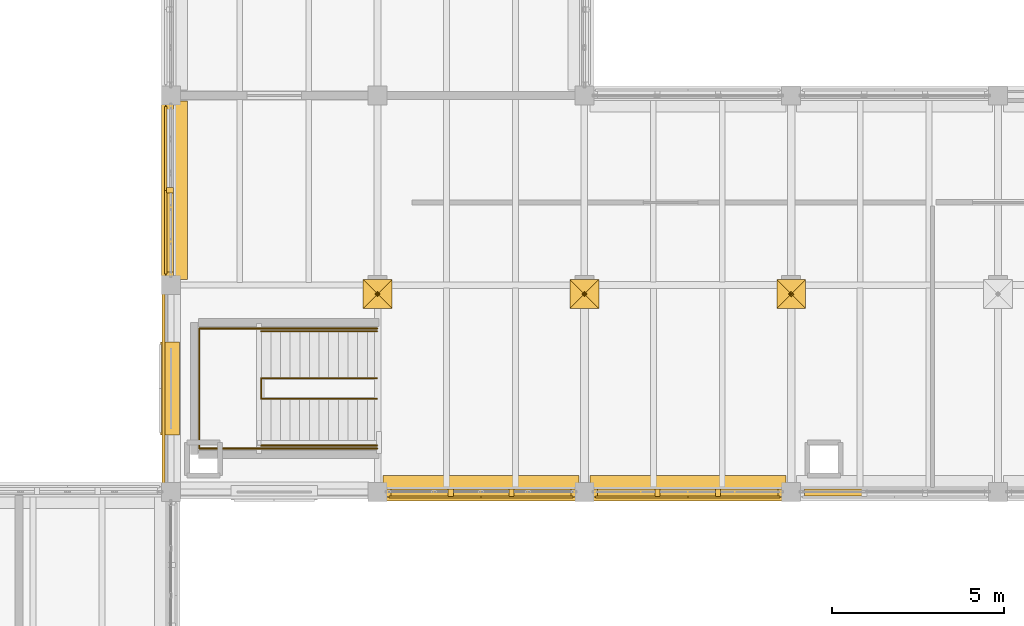
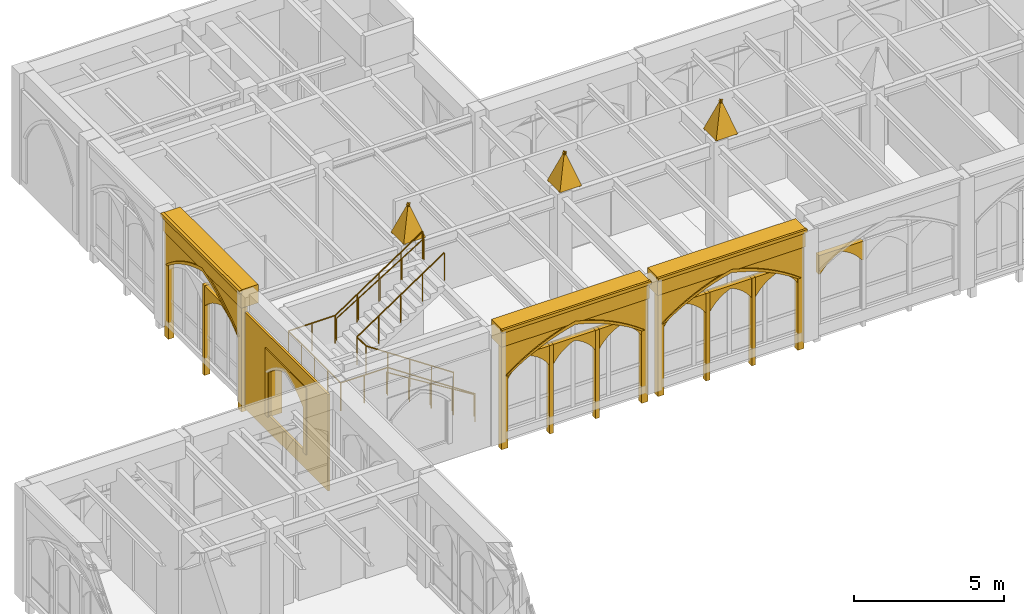
# One storey, part 90 of 108: 39 coverings, 6 railings.
"""IFC4 building model written with IfcOpenShell, lengths in metres."""

from ifc_helpers import new_model, si_unit, direction, frame, origin, origin_2d, place, context, subcontext, project, spatial, polyline, rectangle, circle, outline, extrude, material, type_object, element, save


model = new_model("IFC4")

# Units and contexts
model_context = context("Model", 3, precision=1e-05, world=origin(), true_north=direction((0.0, 1.0)))
body_context = subcontext(model_context, "Body", "Model", "MODEL_VIEW")
ifc_project = project(units=[si_unit("LENGTHUNIT", "METRE"), si_unit("AREAUNIT", "SQUARE_METRE"), si_unit("VOLUMEUNIT", "CUBIC_METRE"), si_unit("PLANEANGLEUNIT", "RADIAN"), si_unit("MASSUNIT", "GRAM", prefix="KILO")], contexts=[model_context])

# Site, building, storey
site_placement = place(None, origin())
site = spatial("IfcSite", under=ifc_project, at=site_placement, CompositionType="ELEMENT")
building_placement = place(site_placement, origin())
building = spatial("IfcBuilding", under=site, at=building_placement, Name="Cumevento Cable Car Station", CompositionType="ELEMENT")
storey_placement = place(building_placement, frame((0.0, 0.0, 13.5)))
storey = spatial("IfcBuildingStorey", under=building, at=storey_placement, Name="L04", CompositionType="ELEMENT", Elevation=13.5)

# Railings
ifc_material_1 = material(Name="Painted Galvanised Architectural Steel", Category="steel")
railing_type_1 = type_object("IfcRailingType", Name="Stair Guardrail GR-S115", PredefinedType="GUARDRAIL", material=ifc_material_1)
railing_1_placement = place(storey_placement, frame((27.97998046875, 47.699951171875, 0.0)))
element("IfcRailing", 1, at=railing_1_placement, inside=storey, type_object=railing_type_1, Name="Stair Well Inner Guardrail ST-12", PredefinedType="GUARDRAIL", context=body_context, shape_type="SweptSolid", body=[
    extrude(circle(Radius=0.02392578125, at=origin_2d()), frame((0.0, 0.0, 1.1259765625), z_axis=(-0.830896709279, 0.0, 0.556426687452), x_axis=(0.0, -1.0, 0.0)), (0.0, 0.0, 1.0), 4.043701171875),
    extrude(circle(Radius=0.02392578125, at=origin_2d()), frame((-3.35986328125, 0.0, 3.3759765625), z_axis=(0.0, 1.0, 0.0), x_axis=(-1.0, 0.0, 0.0)), (0.0, 0.0, 1.0), 0.60009765625),
    extrude(circle(Radius=0.02392578125, at=origin_2d()), frame((-3.35986328125, 0.60009765625, 3.3759765625), z_axis=(0.830896709279, 0.0, 0.556426687452), x_axis=(0.0, 1.0, 0.0)), (0.0, 0.0, 1.0), 4.043701171875),
    extrude(circle(Radius=0.02001953125, at=origin_2d()), origin(), (0.0, 0.0, 1.0), 1.101806640625),
    extrude(circle(Radius=0.02001953125, at=origin_2d()), frame((-0.83984375, 0.0, 0.5625)), (0.0, 0.0, 1.0), 1.101806640625),
    extrude(circle(Radius=0.02001953125, at=origin_2d()), frame((-1.679931640625, 0.0, 1.125)), (0.0, 0.0, 1.0), 1.101806640625),
    extrude(circle(Radius=0.02001953125, at=origin_2d()), frame((-2.52001953125, 0.0, 1.6875)), (0.0, 0.0, 1.0), 1.101806640625),
    extrude(circle(Radius=0.02001953125, at=origin_2d()), frame((-3.35986328125, 0.0, 2.25)), (0.0, 0.0, 1.0), 1.101806640625),
    extrude(circle(Radius=0.02001953125, at=origin_2d()), frame((-3.35986328125, 0.60009765625, 2.25)), (0.0, 0.0, 1.0), 1.101806640625),
    extrude(circle(Radius=0.02001953125, at=origin_2d()), frame((-2.52001953125, 0.60009765625, 2.8125)), (0.0, 0.0, 1.0), 1.101806640625),
    extrude(circle(Radius=0.02001953125, at=origin_2d()), frame((-1.679931640625, 0.60009765625, 3.375)), (0.0, 0.0, 1.0), 1.101806640625),
    extrude(circle(Radius=0.02001953125, at=origin_2d()), frame((-0.83984375, 0.60009765625, 3.9375)), (0.0, 0.0, 1.0), 1.101806640625),
    extrude(circle(Radius=0.02001953125, at=origin_2d()), frame((0.0, 0.60009765625, 4.5)), (0.0, 0.0, 1.0), 1.101806640625),
])
railing_2_placement = place(storey_placement, frame((24.6201171875, 46.260009765625, 2.25)))
element("IfcRailing", 2, at=railing_2_placement, inside=storey, type_object=railing_type_1, Name="Stair Half-Landing Guardrail ST-12", PredefinedType="GUARDRAIL", context=body_context, shape_type="SweptSolid", body=[
    extrude(circle(Radius=0.02392578125, at=origin_2d()), frame((0.0, 0.0, 1.1259765625), z_axis=(-1.0, 0.0, 0.0), x_axis=(0.0, -1.0, 0.0)), (0.0, 0.0, 1.0), 1.800048828125),
    extrude(circle(Radius=0.02392578125, at=origin_2d()), frame((-1.800048828125, 0.0, 1.1259765625), z_axis=(0.0, 1.0, 0.0), x_axis=(-1.0, 0.0, 0.0)), (0.0, 0.0, 1.0), 3.47998046875),
    extrude(circle(Radius=0.02392578125, at=origin_2d()), frame((-1.800048828125, 3.47998046875, 1.1259765625), z_axis=(1.0, 0.0, 0.0), x_axis=(0.0, 1.0, 0.0)), (0.0, 0.0, 1.0), 1.800048828125),
    extrude(circle(Radius=0.02001953125, at=origin_2d()), origin(), (0.0, 0.0, 1.0), 1.101806640625),
    extrude(circle(Radius=0.02001953125, at=origin_2d()), frame((-0.89990234375, 0.0, 0.0)), (0.0, 0.0, 1.0), 1.101806640625),
    extrude(circle(Radius=0.02001953125, at=origin_2d()), frame((-1.800048828125, 0.0, 0.0)), (0.0, 0.0, 1.0), 1.101806640625),
    extrude(circle(Radius=0.02001953125, at=origin_2d()), frame((-1.800048828125, 0.8701171875, 0.0)), (0.0, 0.0, 1.0), 1.101806640625),
    extrude(circle(Radius=0.02001953125, at=origin_2d()), frame((-1.800048828125, 1.739990234375, 0.0)), (0.0, 0.0, 1.0), 1.101806640625),
    extrude(circle(Radius=0.02001953125, at=origin_2d()), frame((-1.800048828125, 2.60986328125, 0.0)), (0.0, 0.0, 1.0), 1.101806640625),
    extrude(circle(Radius=0.02001953125, at=origin_2d()), frame((-1.800048828125, 3.47998046875, 0.0)), (0.0, 0.0, 1.0), 1.101806640625),
    extrude(circle(Radius=0.02001953125, at=origin_2d()), frame((-0.89990234375, 3.47998046875, 0.0)), (0.0, 0.0, 1.0), 1.101806640625),
    extrude(circle(Radius=0.02001953125, at=origin_2d()), frame((0.0, 3.47998046875, 0.0)), (0.0, 0.0, 1.0), 1.101806640625),
])
railing_3_placement = place(storey_placement, frame((27.97998046875, 46.260009765625, 0.0)))
element("IfcRailing", 3, at=railing_3_placement, inside=storey, type_object=railing_type_1, Name="Stair Outer Guardrail ST-12 F1", PredefinedType="GUARDRAIL", context=body_context, shape_type="SweptSolid", body=[
    extrude(circle(Radius=0.02392578125, at=origin_2d()), frame((0.0, 0.0, 1.1259765625), z_axis=(-0.830896709279, 0.0, 0.556426687452), x_axis=(0.0, -1.0, 0.0)), (0.0, 0.0, 1.0), 4.043701171875),
    extrude(circle(Radius=0.02001953125, at=origin_2d()), origin(), (0.0, 0.0, 1.0), 1.101806640625),
    extrude(circle(Radius=0.02001953125, at=origin_2d()), frame((-0.83984375, 0.0, 0.5625)), (0.0, 0.0, 1.0), 1.101806640625),
    extrude(circle(Radius=0.02001953125, at=origin_2d()), frame((-1.679931640625, 0.0, 1.125)), (0.0, 0.0, 1.0), 1.101806640625),
    extrude(circle(Radius=0.02001953125, at=origin_2d()), frame((-2.52001953125, 0.0, 1.6875)), (0.0, 0.0, 1.0), 1.101806640625),
    extrude(circle(Radius=0.02001953125, at=origin_2d()), frame((-3.35986328125, 0.0, 2.25)), (0.0, 0.0, 1.0), 1.101806640625),
])
railing_4_placement = place(storey_placement, frame((24.6201171875, 49.739990234375, 2.25)))
element("IfcRailing", 4, at=railing_4_placement, inside=storey, type_object=railing_type_1, Name="Stair Outer Guardrail ST-12 F2", PredefinedType="GUARDRAIL", context=body_context, shape_type="SweptSolid", body=[
    extrude(circle(Radius=0.02392578125, at=origin_2d()), frame((0.0, 0.0, 1.1259765625), z_axis=(0.830896709279, 0.0, 0.556426687452), x_axis=(0.0, 1.0, 0.0)), (0.0, 0.0, 1.0), 4.043701171875),
    extrude(circle(Radius=0.02001953125, at=origin_2d()), origin(), (0.0, 0.0, 1.0), 1.101806640625),
    extrude(circle(Radius=0.02001953125, at=origin_2d()), frame((0.83984375, 0.0, 0.5625)), (0.0, 0.0, 1.0), 1.101806640625),
    extrude(circle(Radius=0.02001953125, at=origin_2d()), frame((1.679931640625, 0.0, 1.125)), (0.0, 0.0, 1.0), 1.101806640625),
    extrude(circle(Radius=0.02001953125, at=origin_2d()), frame((2.52001953125, 0.0, 1.6875)), (0.0, 0.0, 1.0), 1.101806640625),
    extrude(circle(Radius=0.02001953125, at=origin_2d()), frame((3.35986328125, 0.0, 2.25)), (0.0, 0.0, 1.0), 1.101806640625),
])
ifc_material_2 = material(Name="Brushed Stainless Steel Handrail Tube", Category="steel")
railing_type_2 = type_object("IfcRailingType", Name="Stair Handrail HR-090", PredefinedType="HANDRAIL", material=ifc_material_2)
railing_5_placement = place(storey_placement, frame((27.97998046875, 46.340087890625, 0.17626953125)))
element("IfcRailing", 5, at=railing_5_placement, inside=storey, type_object=railing_type_2, Name="Stair Pitch Handrail ST-12 F1", PredefinedType="HANDRAIL", context=body_context, shape_type="SweptSolid", body=[
    extrude(circle(Radius=0.02099609375, at=origin_2d()), frame((0.0, 0.0, 0.87890625), z_axis=(-0.850606129759, 0.0, 0.525803396734), x_axis=(0.0, -1.0, 0.0)), (0.0, 0.0, 1.0), 3.949951171875),
    extrude(circle(Radius=0.01611328125, at=origin_2d()), origin(), (0.0, 0.0, 1.0), 0.85791015625),
    extrude(circle(Radius=0.01611328125, at=origin_2d()), frame((-0.83984375, 0.0, 0.519287109375)), (0.0, 0.0, 1.0), 0.85791015625),
    extrude(circle(Radius=0.01611328125, at=origin_2d()), frame((-1.679931640625, 0.0, 1.03857421875)), (0.0, 0.0, 1.0), 0.85791015625),
    extrude(circle(Radius=0.01611328125, at=origin_2d()), frame((-2.52001953125, 0.0, 1.5576171875)), (0.0, 0.0, 1.0), 0.85791015625),
    extrude(circle(Radius=0.01611328125, at=origin_2d()), frame((-3.35986328125, 0.0, 2.076904296875)), (0.0, 0.0, 1.0), 0.85791015625),
])
railing_6_placement = place(storey_placement, frame((24.6201171875, 49.659912109375, 2.42626953125)))
element("IfcRailing", 6, at=railing_6_placement, inside=storey, type_object=railing_type_2, Name="Stair Pitch Handrail ST-12 F2", PredefinedType="HANDRAIL", context=body_context, shape_type="SweptSolid", body=[
    extrude(circle(Radius=0.02099609375, at=origin_2d()), frame((0.0, 0.0, 0.87890625), z_axis=(0.850606129759, 0.0, 0.525803396734), x_axis=(0.0, 1.0, 0.0)), (0.0, 0.0, 1.0), 3.949951171875),
    extrude(circle(Radius=0.01611328125, at=origin_2d()), origin(), (0.0, 0.0, 1.0), 0.85791015625),
    extrude(circle(Radius=0.01611328125, at=origin_2d()), frame((0.83984375, 0.0, 0.519287109375)), (0.0, 0.0, 1.0), 0.85791015625),
    extrude(circle(Radius=0.01611328125, at=origin_2d()), frame((1.679931640625, 0.0, 1.03857421875)), (0.0, 0.0, 1.0), 0.85791015625),
    extrude(circle(Radius=0.01611328125, at=origin_2d()), frame((2.52001953125, 0.0, 1.5576171875)), (0.0, 0.0, 1.0), 0.85791015625),
    extrude(circle(Radius=0.01611328125, at=origin_2d()), frame((3.35986328125, 0.0, 2.076904296875)), (0.0, 0.0, 1.0), 0.85791015625),
])

# Coverings
ifc_material_3 = material(Name="Gnaisse Facoidal Stone Ashlar 85 MPa", Category="masonry")
covering_type = type_object("IfcCoveringType", Name="Gnaisse Ashlar Cladding CV-CL01", PredefinedType="CLADDING", material=ifc_material_3)
for number, where, z_axis, x_axis, name in (
    (7, (27.580078125, 51.159912109375, 4.8701171875), (0.0, 0.951573760476, 0.30742052367), (1.0, 0.0, 0.0), "Gothic Buttress Pinnacle Spire Facet 1 bt:28.0:51.0"),
    (8, (28.419921875, 51.159912109375, 4.8701171875), (0.951573760476, 0.0, 0.30742052367), (0.0, -1.0, 0.0), "Gothic Buttress Pinnacle Spire Facet 2 bt:28.0:51.0"),
    (9, (28.419921875, 50.320068359375, 4.8701171875), (0.0, -0.951573760476, 0.30742052367), (-1.0, 0.0, 0.0), "Gothic Buttress Pinnacle Spire Facet 3 bt:28.0:51.0"),
    (10, (27.580078125, 50.320068359375, 4.8701171875), (-0.951573760476, 0.0, 0.30742052367), (0.0, 1.0, 0.0), "Gothic Buttress Pinnacle Spire Facet 4 bt:28.0:51.0"),
    (11, (33.580078125, 51.159912109375, 4.8701171875), (0.0, 0.951573760476, 0.30742052367), (1.0, 0.0, 0.0), "Gothic Buttress Pinnacle Spire Facet 1 bt:34.0:51.0"),
    (12, (34.419921875, 51.159912109375, 4.8701171875), (0.951573760476, 0.0, 0.30742052367), (0.0, -1.0, 0.0), "Gothic Buttress Pinnacle Spire Facet 2 bt:34.0:51.0"),
    (13, (34.419921875, 50.320068359375, 4.8701171875), (0.0, -0.951573760476, 0.30742052367), (-1.0, 0.0, 0.0), "Gothic Buttress Pinnacle Spire Facet 3 bt:34.0:51.0"),
    (14, (33.580078125, 50.320068359375, 4.8701171875), (-0.951573760476, 0.0, 0.30742052367), (0.0, 1.0, 0.0), "Gothic Buttress Pinnacle Spire Facet 4 bt:34.0:51.0"),
    (15, (39.580078125, 51.159912109375, 4.8701171875), (0.0, 0.951573760476, 0.30742052367), (1.0, 0.0, 0.0), "Gothic Buttress Pinnacle Spire Facet 1 bt:40.0:51.0"),
    (16, (40.419921875, 51.159912109375, 4.8701171875), (0.951573760476, 0.0, 0.30742052367), (0.0, -1.0, 0.0), "Gothic Buttress Pinnacle Spire Facet 2 bt:40.0:51.0"),
    (17, (40.419921875, 50.320068359375, 4.8701171875), (0.0, -0.951573760476, 0.30742052367), (-1.0, 0.0, 0.0), "Gothic Buttress Pinnacle Spire Facet 3 bt:40.0:51.0"),
    (18, (39.580078125, 50.320068359375, 4.8701171875), (-0.951573760476, 0.0, 0.30742052367), (0.0, 1.0, 0.0), "Gothic Buttress Pinnacle Spire Facet 4 bt:40.0:51.0"),
):
    element("IfcCovering", number, at=place(storey_placement, frame(where, z_axis=z_axis, x_axis=x_axis)), inside=storey, type_object=covering_type, Name=name, PredefinedType="CLADDING", context=body_context, shape_type="SweptSolid", body=[
        extrude(outline(polyline([(0.0, 0.0), (0.83984375, 0.0), (0.419921875, -1.3659526370817139), (0.0, 0.0)])), origin(), (0.0, 0.0, -1.0), 0.0849609375),
    ])
covering_1_placement = place(storey_placement, frame((31.0, 45.14990234375, 3.821044921875), z_axis=(0.0, 0.0, 1.0), x_axis=(-1.0, 0.0, 0.0)))
element("IfcCovering", 19, at=covering_1_placement, inside=storey, type_object=covering_type, Name="Gothic Stone Spandrel Stringcourse sc:0717", PredefinedType="CLADDING", context=body_context, shape_type="SweptSolid", body=[
    extrude(rectangle(XDim=5.68994140625, YDim=0.659912109375, at=origin_2d()), origin(), (0.0, 0.0, 1.0), 0.7470703125),
])
covering_2_placement = place(storey_placement, frame((31.0, 44.79248046875, 4.43798828125), z_axis=(0.0, 0.0, 1.0), x_axis=(-1.0, 0.0, 0.0)))
element("IfcCovering", 20, at=covering_2_placement, inside=storey, type_object=covering_type, Name="Gothic Cornice Dripstone Lip sc:0717", PredefinedType="CLADDING", context=body_context, shape_type="SweptSolid", body=[
    extrude(rectangle(XDim=5.72998046875, YDim=0.114990234375, at=origin_2d()), origin(), (0.0, 0.0, 1.0), 0.1298828125),
])
covering_3_placement = place(storey_placement, frame((37.0, 45.14990234375, 3.821044921875), z_axis=(0.0, 0.0, 1.0), x_axis=(-1.0, 0.0, 0.0)))
element("IfcCovering", 21, at=covering_3_placement, inside=storey, type_object=covering_type, Name="Gothic Stone Spandrel Stringcourse sc:0718", PredefinedType="CLADDING", context=body_context, shape_type="SweptSolid", body=[
    extrude(rectangle(XDim=5.68994140625, YDim=0.659912109375, at=origin_2d()), origin(), (0.0, 0.0, 1.0), 0.7470703125),
])
covering_4_placement = place(storey_placement, frame((37.0, 44.79248046875, 4.43798828125), z_axis=(0.0, 0.0, 1.0), x_axis=(-1.0, 0.0, 0.0)))
element("IfcCovering", 22, at=covering_4_placement, inside=storey, type_object=covering_type, Name="Gothic Cornice Dripstone Lip sc:0718", PredefinedType="CLADDING", context=body_context, shape_type="SweptSolid", body=[
    extrude(rectangle(XDim=5.72998046875, YDim=0.114990234375, at=origin_2d()), origin(), (0.0, 0.0, 1.0), 0.1298828125),
])
covering_5_placement = place(storey_placement, frame((22.14990234375, 53.75, 3.782958984375), z_axis=(0.0, 0.0, 1.0), x_axis=(0.0, 1.0, 0.0)))
element("IfcCovering", 23, at=covering_5_placement, inside=storey, type_object=covering_type, Name="Gothic Stone Spandrel Stringcourse sc:0725", PredefinedType="CLADDING", context=body_context, shape_type="SweptSolid", body=[
    extrude(rectangle(XDim=5.18994140625, YDim=0.659912109375, at=origin_2d()), origin(), (0.0, 0.0, 1.0), 0.7470703125),
])
covering_6_placement = place(storey_placement, frame((21.79248046875, 53.75, 4.400146484375), z_axis=(0.0, 0.0, 1.0), x_axis=(0.0, 1.0, 0.0)))
element("IfcCovering", 24, at=covering_6_placement, inside=storey, type_object=covering_type, Name="Gothic Cornice Dripstone Lip sc:0725", PredefinedType="CLADDING", context=body_context, shape_type="SweptSolid", body=[
    extrude(rectangle(XDim=5.22998046875, YDim=0.114990234375, at=origin_2d()), origin(), (0.0, 0.0, 1.0), 0.1298828125),
])
placement_1 = place(storey_placement, frame((33.72509765625, 45.0, -0.3701171875), z_axis=(0.0, 0.0, 1.0), x_axis=(-1.0, 0.0, 0.0)))
element("IfcCovering", 25, at=placement_1, inside=storey, type_object=covering_type, Name="Gothic Ogival Pointed-Arch Stone Spandrel cw_ogival:0155", PredefinedType="CLADDING", context=body_context, shape_type="SweptSolid", body=[
    extrude(outline(polyline([(-0.080078125, 0.0), (-0.080078125, 4.3310546875), (5.530029296875, 4.3310546875), (5.530029296875, 0.0), (5.2900390625, 0.0), (5.2900390625, 2.96533203125), (4.9970703125, 3.1650390625), (4.69482421875, 3.349853515625), (4.3837890625, 3.519775390625), (4.064697265625, 3.67431640625), (3.73876953125, 3.81298828125), (3.406005859375, 3.935546875), (3.06787109375, 4.04150390625), (2.72509765625, 4.130859375), (2.382080078125, 4.04150390625), (2.0439453125, 3.935546875), (1.711181640625, 3.81298828125), (1.38525390625, 3.67431640625), (1.066162109375, 3.519775390625), (0.755126953125, 3.349853515625), (0.452880859375, 3.1650390625), (0.159912109375, 2.96533203125), (0.159912109375, 0.0), (-0.080078125, 0.0)])), frame((0.0, 0.139892578125, 0.0), z_axis=(0.0, -1.0, 0.0), x_axis=(1.0, 0.0, 0.0)), (0.0, 0.0, 1.0), 0.219970703125),
])
covering_8_placement = place(storey_placement, frame((33.72509765625, 45.0, 2.595458984375), z_axis=(0.0, 0.0, 1.0), x_axis=(-1.0, 0.0, 0.0)))
element("IfcCovering", 26, at=covering_8_placement, inside=storey, type_object=covering_type, Name="Gothic Pointed Archivolt Hood Moulding cw_ogival:0155", PredefinedType="CLADDING", context=body_context, shape_type="SweptSolid", body=[
    extrude(outline(polyline([(0.159912109375, 0.0), (0.452880859375, 0.19970703125), (0.755126953125, 0.384521484375), (1.066162109375, 0.554443359375), (1.38525390625, 0.708984375), (1.711181640625, 0.84765625), (2.0439453125, 0.97021484375), (2.382080078125, 1.076171875), (2.72509765625, 1.16552734375), (3.06787109375, 1.076171875), (3.406005859375, 0.97021484375), (3.73876953125, 0.84765625), (4.064697265625, 0.708984375), (4.3837890625, 0.554443359375), (4.69482421875, 0.384521484375), (4.9970703125, 0.19970703125), (5.2900390625, 0.0), (5.39990234375, 0.0), (5.0986328125, 0.222412109375), (4.785888671875, 0.428955078125), (4.462890625, 0.61865234375), (4.130615234375, 0.79150390625), (3.789794921875, 0.94677734375), (3.441162109375, 1.083984375), (3.0859375, 1.202880859375), (2.72509765625, 1.302978515625), (2.364013671875, 1.202880859375), (2.0087890625, 1.083984375), (1.66015625, 0.94677734375), (1.3193359375, 0.79150390625), (0.987060546875, 0.61865234375), (0.6640625, 0.428955078125), (0.351318359375, 0.222412109375), (0.050048828125, 0.0), (0.159912109375, 0.0)])), frame((0.0, 0.181884765625, 0.0), z_axis=(0.0, -1.0, 0.0), x_axis=(1.0, 0.0, 0.0)), (0.0, 0.0, 1.0), 0.06689453125),
])
element("IfcCovering", 27, at=placement_1, inside=storey, type_object=covering_type, Name="Gothic Bifora Stone Colonnette cw_ogival:0155 #1", PredefinedType="CLADDING", context=body_context, shape_type="SweptSolid", body=[
    extrude(outline(polyline([(1.77001953125, -0.02001953125), (1.919921875, -0.02001953125), (1.919921875, 3.571533203125), (1.77001953125, 3.571533203125), (1.77001953125, -0.02001953125)])), frame((0.0, 0.1279296875, 0.0), z_axis=(0.0, -1.0, 0.0), x_axis=(1.0, 0.0, 0.0)), (0.0, 0.0, 1.0), 0.205078125),
])
element("IfcCovering", 28, at=placement_1, inside=storey, type_object=covering_type, Name="Gothic Bifora Stone Colonnette cw_ogival:0155 #2", PredefinedType="CLADDING", context=body_context, shape_type="SweptSolid", body=[
    extrude(outline(polyline([(3.530029296875, -0.02001953125), (3.679931640625, -0.02001953125), (3.679931640625, 3.571533203125), (3.530029296875, 3.571533203125), (3.530029296875, -0.02001953125)])), frame((0.0, 0.1279296875, 0.0), z_axis=(0.0, -1.0, 0.0), x_axis=(1.0, 0.0, 0.0)), (0.0, 0.0, 1.0), 0.205078125),
])
for number, where, z_axis, x_axis, name in (
    (29, (33.594970703125, 45.0, 2.415283203125), (0.0, 0.0, 1.0), (-1.0, 0.0, 0.0), "Gothic Ogival Pointed-Arch Stone Spandrel cw_ogival:0155:sub:0"),
    (30, (31.8349609375, 45.0, 2.415283203125), (0.0, 0.0, 1.0), (-1.0, 0.0, 0.0), "Gothic Ogival Pointed-Arch Stone Spandrel cw_ogival:0155:sub:1"),
    (31, (30.074951171875, 45.0, 2.415283203125), (0.0, 0.0, 1.0), (-1.0, 0.0, 0.0), "Gothic Ogival Pointed-Arch Stone Spandrel cw_ogival:0155:sub:2"),
):
    element("IfcCovering", number, at=place(storey_placement, frame(where, z_axis=z_axis, x_axis=x_axis)), inside=storey, type_object=covering_type, Name=name, PredefinedType="CLADDING", context=body_context, shape_type="SweptSolid", body=[
        extrude(outline(polyline([(-0.02001953125, 0.0), (-0.02001953125, 0.7861328125), (1.68994140625, 0.7861328125), (1.68994140625, 0.0), (1.6298828125, 0.0), (1.52978515625, 0.14453125), (1.414794921875, 0.27734375), (1.286376953125, 0.3974609375), (1.145751953125, 0.5029296875), (0.99462890625, 0.5927734375), (0.8349609375, 0.666015625), (0.67529296875, 0.5927734375), (0.524169921875, 0.5029296875), (0.383544921875, 0.3974609375), (0.255126953125, 0.27734375), (0.14013671875, 0.14453125), (0.0400390625, 0.0), (-0.02001953125, 0.0)])), frame((0.0, 0.1240234375, 0.0), z_axis=(0.0, -1.0, 0.0), x_axis=(1.0, 0.0, 0.0)), (0.0, 0.0, 1.0), 0.199951171875),
    ])
placement_2 = place(storey_placement, frame((39.72509765625, 45.0, -0.320068359375), z_axis=(0.0, 0.0, 1.0), x_axis=(-1.0, 0.0, 0.0)))
element("IfcCovering", 32, at=placement_2, inside=storey, type_object=covering_type, Name="Gothic Ogival Pointed-Arch Stone Spandrel cw_ogival:0156", PredefinedType="CLADDING", context=body_context, shape_type="SweptSolid", body=[
    extrude(outline(polyline([(-0.080078125, 0.0), (-0.080078125, 4.281005859375), (5.530029296875, 4.281005859375), (5.530029296875, 0.0), (5.2900390625, 0.0), (5.2900390625, 2.933349609375), (4.996337890625, 3.1298828125), (4.693359375, 3.312255859375), (4.382080078125, 3.4794921875), (4.063232421875, 3.631591796875), (3.737060546875, 3.76806640625), (3.405029296875, 3.888671875), (3.0673828125, 3.9931640625), (2.72509765625, 4.0810546875), (2.382568359375, 3.9931640625), (2.044921875, 3.888671875), (1.712890625, 3.76806640625), (1.38671875, 3.631591796875), (1.06787109375, 3.4794921875), (0.756591796875, 3.312255859375), (0.45361328125, 3.1298828125), (0.159912109375, 2.933349609375), (0.159912109375, 0.0), (-0.080078125, 0.0)])), frame((0.0, 0.139892578125, 0.0), z_axis=(0.0, -1.0, 0.0), x_axis=(1.0, 0.0, 0.0)), (0.0, 0.0, 1.0), 0.219970703125),
])
covering_12_placement = place(storey_placement, frame((39.72509765625, 45.0, 2.61328125), z_axis=(0.0, 0.0, 1.0), x_axis=(-1.0, 0.0, 0.0)))
element("IfcCovering", 33, at=covering_12_placement, inside=storey, type_object=covering_type, Name="Gothic Pointed Archivolt Hood Moulding cw_ogival:0156", PredefinedType="CLADDING", context=body_context, shape_type="SweptSolid", body=[
    extrude(outline(polyline([(0.159912109375, 0.0), (0.45361328125, 0.196533203125), (0.756591796875, 0.37890625), (1.06787109375, 0.546142578125), (1.38671875, 0.6982421875), (1.712890625, 0.834716796875), (2.044921875, 0.955322265625), (2.382568359375, 1.059814453125), (2.72509765625, 1.147705078125), (3.0673828125, 1.059814453125), (3.405029296875, 0.955322265625), (3.737060546875, 0.834716796875), (4.063232421875, 0.6982421875), (4.382080078125, 0.546142578125), (4.693359375, 0.37890625), (4.996337890625, 0.196533203125), (5.2900390625, 0.0), (5.39990234375, 0.0), (5.09765625, 0.219482421875), (4.784423828125, 0.423095703125), (4.46142578125, 0.6103515625), (4.12890625, 0.78076171875), (3.7880859375, 0.933837890625), (3.43994140625, 1.069091796875), (3.085205078125, 1.186279296875), (2.72509765625, 1.28515625), (2.36474609375, 1.186279296875), (2.010009765625, 1.069091796875), (1.661865234375, 0.933837890625), (1.321044921875, 0.78076171875), (0.988525390625, 0.6103515625), (0.66552734375, 0.423095703125), (0.352294921875, 0.219482421875), (0.050048828125, 0.0), (0.159912109375, 0.0)])), frame((0.0, 0.181884765625, 0.0), z_axis=(0.0, -1.0, 0.0), x_axis=(1.0, 0.0, 0.0)), (0.0, 0.0, 1.0), 0.06689453125),
])
element("IfcCovering", 34, at=placement_2, inside=storey, type_object=covering_type, Name="Gothic Bifora Stone Colonnette cw_ogival:0156 #1", PredefinedType="CLADDING", context=body_context, shape_type="SweptSolid", body=[
    extrude(outline(polyline([(1.77001953125, -0.02001953125), (1.919921875, -0.02001953125), (1.919921875, 3.5302734375), (1.77001953125, 3.5302734375), (1.77001953125, -0.02001953125)])), frame((0.0, 0.1279296875, 0.0), z_axis=(0.0, -1.0, 0.0), x_axis=(1.0, 0.0, 0.0)), (0.0, 0.0, 1.0), 0.205078125),
])
element("IfcCovering", 35, at=placement_2, inside=storey, type_object=covering_type, Name="Gothic Bifora Stone Colonnette cw_ogival:0156 #2", PredefinedType="CLADDING", context=body_context, shape_type="SweptSolid", body=[
    extrude(outline(polyline([(3.530029296875, -0.02001953125), (3.679931640625, -0.02001953125), (3.679931640625, 3.5302734375), (3.530029296875, 3.5302734375), (3.530029296875, -0.02001953125)])), frame((0.0, 0.1279296875, 0.0), z_axis=(0.0, -1.0, 0.0), x_axis=(1.0, 0.0, 0.0)), (0.0, 0.0, 1.0), 0.205078125),
])
for number, where, z_axis, x_axis, name in (
    (36, (39.594970703125, 45.0, 2.433349609375), (0.0, 0.0, 1.0), (-1.0, 0.0, 0.0), "Gothic Ogival Pointed-Arch Stone Spandrel cw_ogival:0156:sub:0"),
    (37, (37.8349609375, 45.0, 2.433349609375), (0.0, 0.0, 1.0), (-1.0, 0.0, 0.0), "Gothic Ogival Pointed-Arch Stone Spandrel cw_ogival:0156:sub:1"),
    (38, (36.074951171875, 45.0, 2.433349609375), (0.0, 0.0, 1.0), (-1.0, 0.0, 0.0), "Gothic Ogival Pointed-Arch Stone Spandrel cw_ogival:0156:sub:2"),
):
    element("IfcCovering", number, at=place(storey_placement, frame(where, z_axis=z_axis, x_axis=x_axis)), inside=storey, type_object=covering_type, Name=name, PredefinedType="CLADDING", context=body_context, shape_type="SweptSolid", body=[
        extrude(outline(polyline([(-0.02001953125, 0.0), (-0.02001953125, 0.77685546875), (1.68994140625, 0.77685546875), (1.68994140625, 0.0), (1.6298828125, 0.0), (1.529052734375, 0.142578125), (1.41357421875, 0.27392578125), (1.284912109375, 0.39208984375), (1.14453125, 0.49609375), (0.994140625, 0.584716796875), (0.8349609375, 0.65673828125), (0.67578125, 0.584716796875), (0.525390625, 0.49609375), (0.385009765625, 0.39208984375), (0.25634765625, 0.27392578125), (0.140869140625, 0.142578125), (0.0400390625, 0.0), (-0.02001953125, 0.0)])), frame((0.0, 0.1240234375, 0.0), z_axis=(0.0, -1.0, 0.0), x_axis=(1.0, 0.0, 0.0)), (0.0, 0.0, 1.0), 0.199951171875),
    ])
covering_15_placement = place(storey_placement, frame((42.074951171875, 45.0, 2.469482421875), z_axis=(0.0, 0.0, 1.0), x_axis=(-1.0, 0.0, 0.0)))
element("IfcCovering", 39, at=covering_15_placement, inside=storey, type_object=covering_type, Name="Gothic Ogival Pointed-Arch Stone Spandrel cw_ogival:0158:sub:2", PredefinedType="CLADDING", context=body_context, shape_type="SweptSolid", body=[
    extrude(outline(polyline([(-0.02001953125, 0.0), (-0.02001953125, 0.758056640625), (1.68994140625, 0.758056640625), (1.68994140625, 0.0), (1.6298828125, 0.0), (1.527587890625, 0.138916015625), (1.411376953125, 0.2666015625), (1.282470703125, 0.38134765625), (1.142333984375, 0.482177734375), (0.99267578125, 0.568115234375), (0.8349609375, 0.637939453125), (0.67724609375, 0.568115234375), (0.527587890625, 0.482177734375), (0.387451171875, 0.38134765625), (0.258544921875, 0.2666015625), (0.142333984375, 0.138916015625), (0.0400390625, 0.0), (-0.02001953125, 0.0)])), frame((0.0, 0.1240234375, 0.0), z_axis=(0.0, -1.0, 0.0), x_axis=(1.0, 0.0, 0.0)), (0.0, 0.0, 1.0), 0.199951171875),
])
placement_3 = place(storey_placement, frame((22.0, 51.27490234375, -0.469970703125), z_axis=(0.0, 0.0, 1.0), x_axis=(0.0, 1.0, 0.0)))
element("IfcCovering", 40, at=placement_3, inside=storey, type_object=covering_type, Name="Gothic Ogival Pointed-Arch Stone Spandrel cw_ogival:0161", PredefinedType="CLADDING", context=body_context, shape_type="SweptSolid", body=[
    extrude(outline(polyline([(-0.080078125, 0.0), (-0.080078125, 4.39306640625), (5.030029296875, 4.39306640625), (5.030029296875, 0.0), (4.7900390625, 0.0), (4.7900390625, 3.005126953125), (4.531982421875, 3.207275390625), (4.263427734375, 3.395263671875), (3.98486328125, 3.568359375), (3.697509765625, 3.725830078125), (3.40185546875, 3.867431640625), (3.098876953125, 3.99267578125), (2.789794921875, 4.101318359375), (2.47509765625, 4.193115234375), (2.16015625, 4.101318359375), (1.85107421875, 3.99267578125), (1.548095703125, 3.867431640625), (1.25244140625, 3.725830078125), (0.965087890625, 3.568359375), (0.6865234375, 3.395263671875), (0.41796875, 3.207275390625), (0.159912109375, 3.005126953125), (0.159912109375, 0.0), (-0.080078125, 0.0)])), frame((0.0, 0.139892578125, 0.0), z_axis=(0.0, -1.0, 0.0), x_axis=(1.0, 0.0, 0.0)), (0.0, 0.0, 1.0), 0.219970703125),
])
covering_17_placement = place(storey_placement, frame((22.0, 51.27490234375, 2.53515625), z_axis=(0.0, 0.0, 1.0), x_axis=(0.0, 1.0, 0.0)))
element("IfcCovering", 41, at=covering_17_placement, inside=storey, type_object=covering_type, Name="Gothic Pointed Archivolt Hood Moulding cw_ogival:0161", PredefinedType="CLADDING", context=body_context, shape_type="SweptSolid", body=[
    extrude(outline(polyline([(0.159912109375, 0.0), (0.41796875, 0.2021484375), (0.6865234375, 0.39013671875), (0.965087890625, 0.563232421875), (1.25244140625, 0.720703125), (1.548095703125, 0.8623046875), (1.85107421875, 0.987548828125), (2.16015625, 1.09619140625), (2.47509765625, 1.18798828125), (2.789794921875, 1.09619140625), (3.098876953125, 0.987548828125), (3.40185546875, 0.8623046875), (3.697509765625, 0.720703125), (3.98486328125, 0.563232421875), (4.263427734375, 0.39013671875), (4.531982421875, 0.2021484375), (4.7900390625, 0.0), (4.89990234375, 0.0), (4.6337890625, 0.224853515625), (4.355224609375, 0.43408203125), (4.06494140625, 0.626953125), (3.763916015625, 0.802734375), (3.45361328125, 0.961181640625), (3.134521484375, 1.101318359375), (2.807861328125, 1.222900390625), (2.47509765625, 1.325439453125), (2.14208984375, 1.222900390625), (1.8154296875, 1.101318359375), (1.496337890625, 0.961181640625), (1.18603515625, 0.802734375), (0.885009765625, 0.626953125), (0.5947265625, 0.43408203125), (0.316162109375, 0.224853515625), (0.050048828125, 0.0), (0.159912109375, 0.0)])), frame((0.0, 0.181884765625, 0.0), z_axis=(0.0, -1.0, 0.0), x_axis=(1.0, 0.0, 0.0)), (0.0, 0.0, 1.0), 0.06689453125),
])
element("IfcCovering", 42, at=placement_3, inside=storey, type_object=covering_type, Name="Gothic Bifora Stone Colonnette cw_ogival:0161 #1", PredefinedType="CLADDING", context=body_context, shape_type="SweptSolid", body=[
    extrude(outline(polyline([(2.39990234375, -0.02001953125), (2.550048828125, -0.02001953125), (2.550048828125, 3.622802734375), (2.39990234375, 3.622802734375), (2.39990234375, -0.02001953125)])), frame((0.0, 0.1279296875, 0.0), z_axis=(0.0, -1.0, 0.0), x_axis=(1.0, 0.0, 0.0)), (0.0, 0.0, 1.0), 0.205078125),
])
covering_19_placement = place(storey_placement, frame((22.0, 51.405029296875, 2.35498046875), z_axis=(0.0, 0.0, 1.0), x_axis=(0.0, 1.0, 0.0)))
element("IfcCovering", 43, at=covering_19_placement, inside=storey, type_object=covering_type, Name="Gothic Ogival Pointed-Arch Stone Spandrel cw_ogival:0161:sub:0", PredefinedType="CLADDING", context=body_context, shape_type="SweptSolid", body=[
    extrude(outline(polyline([(-0.02001953125, 0.0), (-0.02001953125, 0.797607421875), (2.320068359375, 0.797607421875), (2.320068359375, 0.0), (2.260009765625, 0.0), (2.10107421875, 0.150634765625), (1.929931640625, 0.287353515625), (1.748046875, 0.4091796875), (1.556396484375, 0.515380859375), (1.356689453125, 0.60498046875), (1.14990234375, 0.677734375), (0.943359375, 0.60498046875), (0.74365234375, 0.515380859375), (0.552001953125, 0.4091796875), (0.3701171875, 0.287353515625), (0.198974609375, 0.150634765625), (0.0400390625, 0.0), (-0.02001953125, 0.0)])), frame((0.0, 0.1240234375, 0.0), z_axis=(0.0, -1.0, 0.0), x_axis=(1.0, 0.0, 0.0)), (0.0, 0.0, 1.0), 0.199951171875),
])
covering_20_placement = place(storey_placement, frame((22.0, 45.27490234375, 0.0), z_axis=(0.0, 0.0, 1.0), x_axis=(0.0, 1.0, 0.0)))
element("IfcCovering", 44, at=covering_20_placement, inside=storey, type_object=covering_type, Name="Exterior Gnaisse Stone Wall Ashlar #272", PredefinedType="CLADDING", context=body_context, shape_type="SweptSolid", body=[
    extrude(outline(polyline([(-0.0400390625, -0.02001953125), (5.489990234375, -0.02001953125), (5.489990234375, 3.90087890625), (-0.0400390625, 3.90087890625), (-0.0400390625, -0.02001953125)]), holes=[polyline([(1.56005859375, 0.659912109375), (3.889892578125, 0.659912109375), (3.889892578125, 3.090087890625), (1.56005859375, 3.090087890625), (1.56005859375, 0.659912109375)])]), frame((0.0, 0.260009765625, 0.0), z_axis=(0.0, -1.0, 0.0), x_axis=(1.0, 0.0, 0.0)), (0.0, 0.0, 1.0), 0.0849609375),
])
covering_21_placement = place(storey_placement, frame((22.0, 46.68505859375, 0.60009765625), z_axis=(0.0, 0.0, 1.0), x_axis=(0.0, 1.0, 0.0)))
element("IfcCovering", 45, at=covering_21_placement, inside=storey, type_object=covering_type, Name="Gothic Ogival Pointed-Arch Stone Spandrel op_ogival:0272:1", PredefinedType="CLADDING", context=body_context, shape_type="SweptSolid", body=[
    extrude(outline(polyline([(-0.0400390625, 0.0), (-0.0400390625, 2.719970703125), (2.669921875, 2.719970703125), (2.669921875, 0.0), (2.489990234375, 0.0), (2.489990234375, 1.820068359375), (2.3466796875, 1.9580078125), (2.193603515625, 2.08544921875), (2.031982421875, 2.201171875), (1.8623046875, 2.30517578125), (1.685791015625, 2.396728515625), (1.5029296875, 2.47509765625), (1.31494140625, 2.5400390625), (1.126953125, 2.47509765625), (0.944091796875, 2.396728515625), (0.767578125, 2.30517578125), (0.597900390625, 2.201171875), (0.436279296875, 2.08544921875), (0.283203125, 1.9580078125), (0.139892578125, 1.820068359375), (0.139892578125, 0.0), (-0.0400390625, 0.0)])), frame((0.0, 0.298095703125, 0.0), z_axis=(0.0, -1.0, 0.0), x_axis=(1.0, 0.0, 0.0)), (0.0, 0.0, 1.0), 0.550048828125),
])

save(model, "model.ifc")
